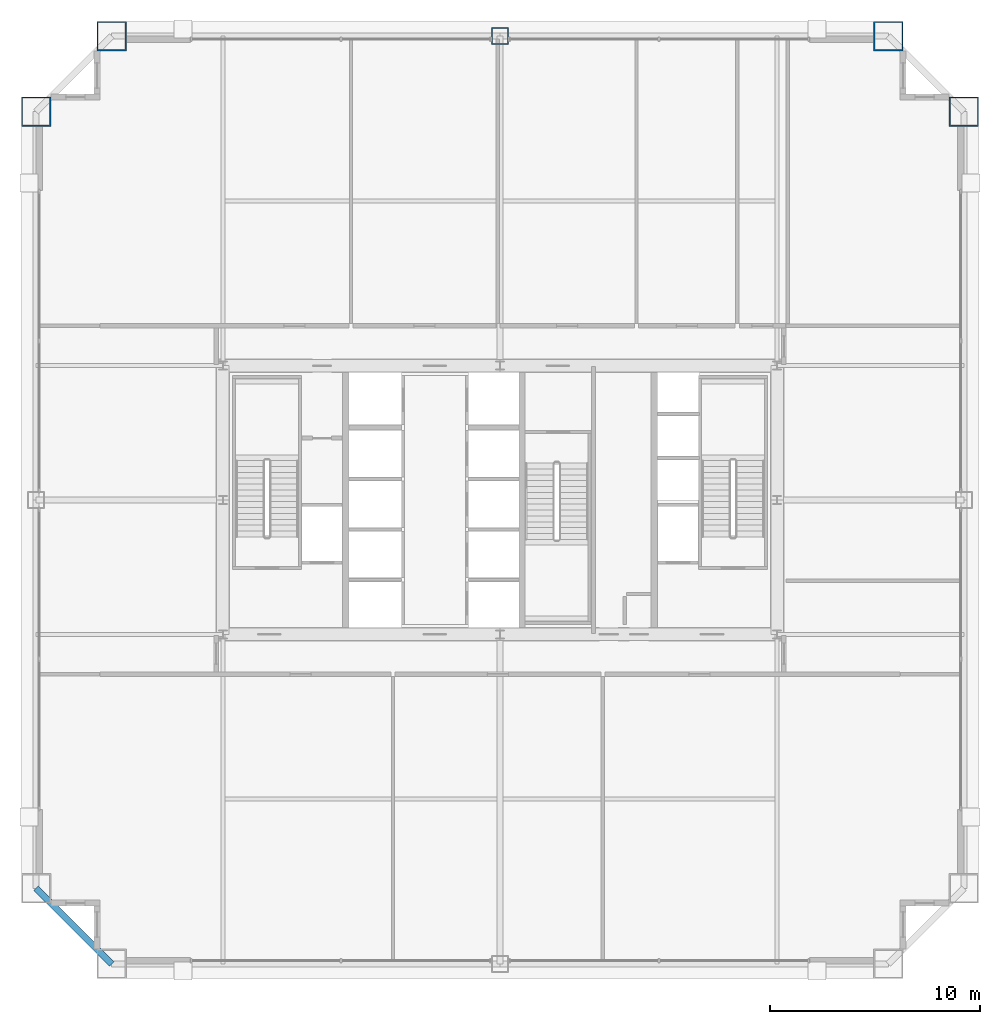
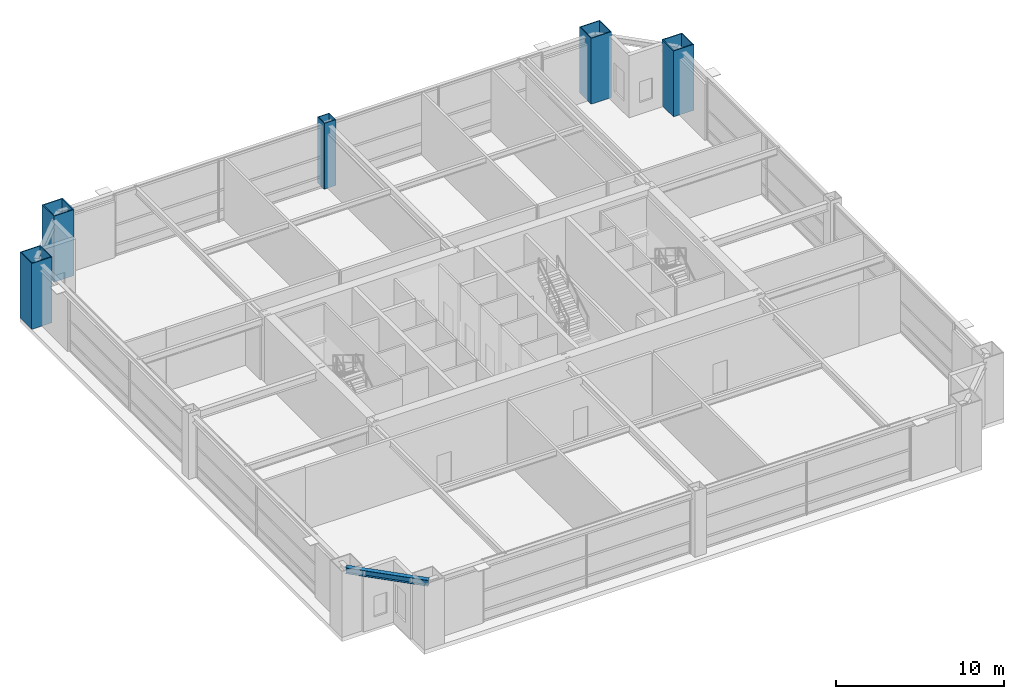
# One storey, part 3 of 34: 5 columns, 1 beam.
"""IFC4 building model written with IfcOpenShell, lengths in metres."""

from ifc_helpers import new_model, si_unit, direction, frame, origin, origin_2d, place, context, subcontext, project, spatial, hollow_rectangle, i_section, extrude, source, transform, mapped, material, material_profile, profile_set, type_object, element, save


model = new_model("IFC4")

# Units and contexts
model_context = context("Model", 3, precision=1e-05, world=origin(), true_north=direction((0.0, 1.0)))
body_context = subcontext(model_context, "Body", "Model", "MODEL_VIEW")
ifc_project = project(units=[si_unit("LENGTHUNIT", "METRE"), si_unit("AREAUNIT", "SQUARE_METRE"), si_unit("VOLUMEUNIT", "CUBIC_METRE"), si_unit("PLANEANGLEUNIT", "RADIAN"), si_unit("MASSUNIT", "GRAM", prefix="KILO"), si_unit("THERMODYNAMICTEMPERATUREUNIT", "KELVIN"), si_unit("POWERUNIT", "WATT")], contexts=[model_context])

# Site, building, storey
site_placement = place(None, origin())
site = spatial("IfcSite", under=ifc_project, at=site_placement, CompositionType="ELEMENT")
building_placement = place(site_placement, origin())
building = spatial("IfcBuilding", under=site, at=building_placement, Name="Yuzanri Waterfront Tower", CompositionType="ELEMENT")
storey_placement = place(building_placement, frame((0.0, 0.0, 171.60009765625)))
storey = spatial("IfcBuildingStorey", under=building, at=storey_placement, Name="L45", CompositionType="ELEMENT", Elevation=171.60009765625)

# Columns
ifc_material_1 = material(Name="Steel Q420GJC", Category="steel")
ifc_material_profile_1 = material_profile(ifc_material_1, hollow_rectangle(XDim=1.39990234375, YDim=1.39990234375, WallThickness=0.06005859375, at=origin_2d()), Name="RHS 1400x1400x60")
ifc_profile_set_1 = profile_set([ifc_material_profile_1], Name="Steel Q420GJC")
column_type_1 = type_object("IfcColumnType", Name="Mega Column Q420GJC RHS 1400x1400x60", PredefinedType="COLUMN", material=ifc_profile_set_1)
shared_shape_1 = source(origin(), body_context, "Body", "SweptSolid", [
    extrude(hollow_rectangle(XDim=1.39990234375, YDim=1.39990234375, WallThickness=0.06005859375, at=origin_2d()), origin(), (0.0, 0.0, 1.0), 4.7998046875),
])
for number, where, z_axis, x_axis, name in (
    (1, (18.5, 47.89990234375, 0.0), (0.0, 0.0, 1.0), (1.0, 0.0, 0.0), "L45 Perimeter Mega Column N1"),
    (2, (55.5, 47.89990234375, 0.0), (0.0, 0.0, 1.0), (1.0, 0.0, 0.0), "L45 Perimeter Mega Column N3"),
    (3, (14.89990234375, 44.300048828125, 0.0), (0.0, 0.0, 1.0), (1.0, 0.0, 0.0), "L45 Perimeter Mega Column W3"),
    (4, (59.10009765625, 44.300048828125, 0.0), (0.0, 0.0, 1.0), (1.0, 0.0, 0.0), "L45 Perimeter Mega Column E3"),
):
    element("IfcColumn", number, at=place(storey_placement, frame(where, z_axis=z_axis, x_axis=x_axis)), inside=storey, type_object=column_type_1, Name=name, PredefinedType="COLUMN", context=body_context, shape_type="MappedRepresentation", body=[
        mapped(shared_shape_1, transform((0.0, 0.0, 0.0), scale=1.0)),
    ])
ifc_material_2 = material(Name="Steel Q390GJC", Category="steel")
ifc_material_profile_2 = material_profile(ifc_material_2, hollow_rectangle(XDim=0.800048828125, YDim=0.800048828125, WallThickness=0.035888671875, at=origin_2d()), Name="RHS 800x800x36")
ifc_profile_set_2 = profile_set([ifc_material_profile_2], Name="Steel Q390GJC")
column_type_2 = type_object("IfcColumnType", Name="Frame Column Q390GJC RHS 800x800x36", PredefinedType="COLUMN", material=ifc_profile_set_2)
shared_shape_2 = source(origin(), body_context, "Body", "SweptSolid", [
    extrude(hollow_rectangle(XDim=0.800048828125, YDim=0.800048828125, WallThickness=0.035888671875, at=origin_2d()), origin(), (0.0, 0.0, 1.0), 4.7998046875),
])
column_placement = place(storey_placement, frame((37.0, 47.89990234375, 0.0), z_axis=(0.0, 0.0, 1.0), x_axis=(1.0, 0.0, 0.0)))
element("IfcColumn", 5, at=column_placement, inside=storey, type_object=column_type_2, Name="L45 Perimeter Frame Column N2", PredefinedType="COLUMN", context=body_context, shape_type="MappedRepresentation", body=[
    mapped(shared_shape_2, transform((0.0, 0.0, 0.0), scale=1.0)),
])

# Beam
ifc_material_3 = material(Name="Steel Q355B", Category="steel")
ifc_material_profile_3 = material_profile(ifc_material_3, i_section(OverallWidth=0.300048828125, OverallDepth=0.43994140625, WebThickness=0.010986328125, FlangeThickness=0.01806640625, at=origin_2d()), Name="HM 440x300x11x18")
ifc_profile_set_3 = profile_set([ifc_material_profile_3], Name="Steel Q355B")
beam_type = type_object("IfcBeamType", Name="Perimeter Spandrel Q355B HM 440x300", PredefinedType="SPANDREL", material=ifc_profile_set_3)
shared_shape_3 = source(origin(), body_context, "Body", "SweptSolid", [
    extrude(i_section(OverallWidth=0.300048828125, OverallDepth=0.43994140625, WebThickness=0.010986328125, FlangeThickness=0.01806640625, at=origin_2d()), origin(), (0.0, 0.0, 1.0), 5.09130859375),
])
beam_placement = place(storey_placement, frame((14.89990234375, 7.300048828125, 4.2998046875), z_axis=(0.707106781187, -0.707106781187, 0.0), x_axis=(0.707106781187, 0.707106781187, 0.0)))
element("IfcBeam", 6, at=beam_placement, inside=storey, type_object=beam_type, Name="L45 Perimeter Spandrel W1-S1", PredefinedType="SPANDREL", context=body_context, shape_type="MappedRepresentation", body=[
    mapped(shared_shape_3, transform((0.0, 0.0, 0.0), scale=1.0)),
])

save(model, "model.ifc")
